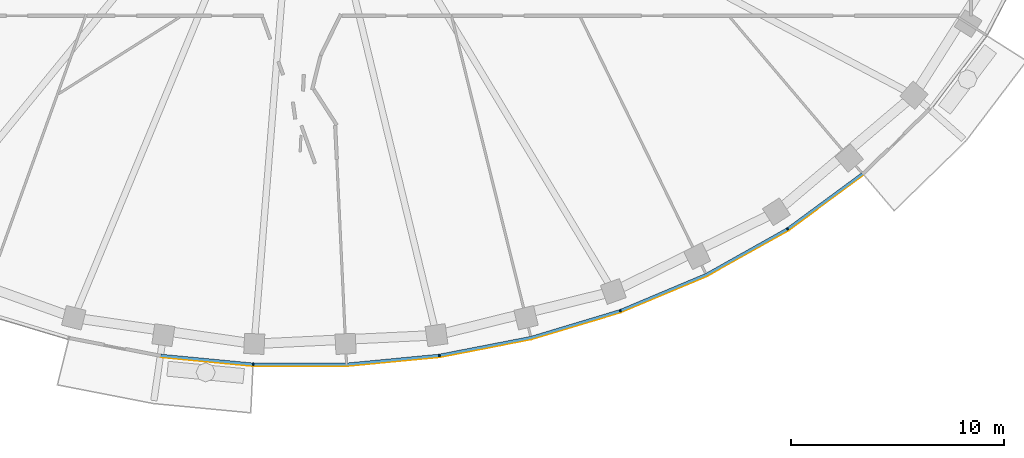
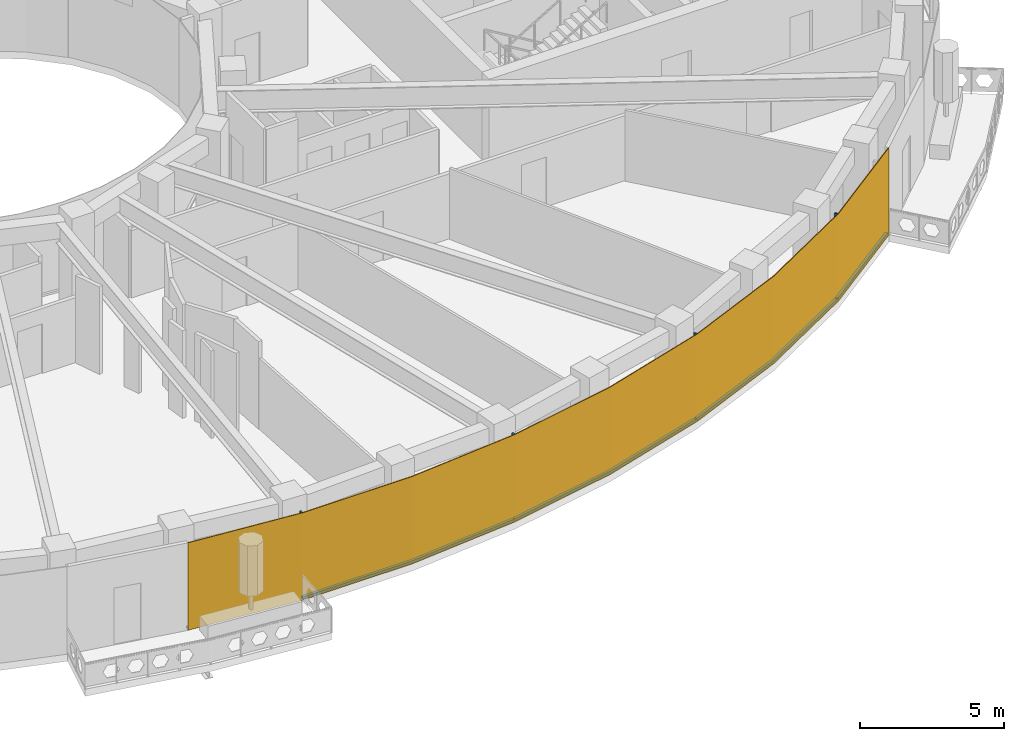
# One storey, part 9 of 16: 9 members, 1 curtain wall.
"""IFC4 building model written with IfcOpenShell, lengths in metres."""

from ifc_helpers import new_model, si_unit, direction, frame, origin, origin_2d, place, context, subcontext, project, spatial, polyline, rectangle, outline, extrude, material, layer, layer_set, material_profile, profile_set, type_object, element, aggregate, save


model = new_model("IFC4")

# Units and contexts
model_context = context("Model", 3, precision=1e-05, world=origin(), true_north=direction((0.0, 1.0)))
body_context = subcontext(model_context, "Body", "Model", "MODEL_VIEW")
ifc_project = project(units=[si_unit("LENGTHUNIT", "METRE"), si_unit("AREAUNIT", "SQUARE_METRE"), si_unit("VOLUMEUNIT", "CUBIC_METRE"), si_unit("PLANEANGLEUNIT", "RADIAN"), si_unit("MASSUNIT", "GRAM", prefix="KILO")], contexts=[model_context])

# Member
ifc_material_1 = material(Name="Aluminium 6063-T6 black anodised", Category="aluminium")
ifc_material_profile = material_profile(ifc_material_1, rectangle(XDim=0.1201171875, YDim=0.06005859375, at=origin_2d()), Name="120x60")
ifc_profile_set = profile_set([ifc_material_profile], Name="Aluminium 6063-T6 black anodised")
member_type_1 = type_object("IfcMemberType", Name="ENV-MULLION-A-120", PredefinedType="MULLION", material=ifc_profile_set)
site_placement = place(None, origin())
building_placement = place(site_placement, origin())
storey_placement = place(building_placement, frame((0.0, 0.0, 315.0)))
member_1_placement = place(storey_placement, frame((-2.188720703125, -27.856201171875, 0.0), z_axis=(0.0, 0.0, 1.0), x_axis=(0.047557873581, 0.998868484166, 0.0)))
member_1 = element("IfcMember", 1, at=member_1_placement, type_object=member_type_1, Name="Mullion A radial 35", PredefinedType="MULLION", context=body_context, shape_type="SweptSolid", body=[
    extrude(rectangle(XDim=0.1201171875, YDim=0.06005859375, at=origin_2d()), origin(), (0.0, 0.0, 1.0), 3.699951171875),
])

member_2_placement = place(storey_placement, frame((6.54638671875, -27.440185546875, 0.0), z_axis=(0.0, 0.0, 1.0), x_axis=(-0.143082012705, 0.989710835366, 0.0)))
member_2 = element("IfcMember", 2, at=member_2_placement, type_object=member_type_1, Name="Mullion A radial 37", PredefinedType="MULLION", context=body_context, shape_type="SweptSolid", body=[
    extrude(rectangle(XDim=0.1201171875, YDim=0.06005859375, at=origin_2d()), origin(), (0.0, 0.0, 1.0), 3.699951171875),
])

member_3_placement = place(storey_placement, frame((15.0341796875, -25.34375, 0.0), z_axis=(0.0, 0.0, 1.0), x_axis=(-0.338379256581, 0.941009818608, 0.0)))
member_3 = element("IfcMember", 3, at=member_3_placement, type_object=member_type_1, Name="Mullion A radial 39", PredefinedType="MULLION", context=body_context, shape_type="SweptSolid", body=[
    extrude(rectangle(XDim=0.1201171875, YDim=0.06005859375, at=origin_2d()), origin(), (0.0, 0.0, 1.0), 3.699951171875),
])

member_4_placement = place(storey_placement, frame((22.882568359375, -21.506591796875, 0.0), z_axis=(0.0, 0.0, 1.0), x_axis=(-0.542279153225, 0.840198381323, 0.0)))
member_4 = element("IfcMember", 4, at=member_4_placement, type_object=member_type_1, Name="Mullion A radial 41", PredefinedType="MULLION", context=body_context, shape_type="SweptSolid", body=[
    extrude(rectangle(XDim=0.1201171875, YDim=0.06005859375, at=origin_2d()), origin(), (0.0, 0.0, 1.0), 3.699951171875),
])

ifc_material_2 = material(Name="Aluminium 6063-T6 black anodised", Category="aluminium")
member_type_2 = type_object("IfcMemberType", Name="ENV-TRANSOM-A", PredefinedType="USERDEFINED", material=ifc_material_2)
member_5_placement = place(storey_placement, origin())
member_5 = element("IfcMember", 5, at=member_5_placement, type_object=member_type_2, Name="Transom A radial 34-35", ObjectType="TRANSOM", PredefinedType="USERDEFINED", context=body_context, shape_type="SweptSolid", body=[
    extrude(outline(polyline([(-6.53515625, -27.50146484375), (-2.219482421875, -27.913330078125), (-2.2138671875, -27.793212890625), (-6.51806640625, -27.382568359375), (-6.53515625, -27.50146484375)])), origin(), (0.0, 0.0, 1.0), 0.10009765625),
])

member_6_placement = place(storey_placement, origin())
member_6 = element("IfcMember", 6, at=member_6_placement, type_object=member_type_2, Name="Transom A radial 35-37", ObjectType="TRANSOM", PredefinedType="USERDEFINED", context=body_context, shape_type="SweptSolid", body=[
    extrude(outline(polyline([(-2.163818359375, -27.916015625), (2.191650390625, -27.916015625), (6.527099609375, -27.502197265625), (6.510009765625, -27.38330078125), (2.185791015625, -27.7958984375), (-2.157958984375, -27.7958984375), (-2.163818359375, -27.916015625)])), origin(), (0.0, 0.0, 1.0), 0.10009765625),
])

member_7_placement = place(storey_placement, origin())
member_7 = element("IfcMember", 7, at=member_7_placement, type_object=member_type_2, Name="Transom A radial 37-39", ObjectType="TRANSOM", PredefinedType="USERDEFINED", context=body_context, shape_type="SweptSolid", body=[
    extrude(outline(polyline([(6.58251953125, -27.494140625), (10.857666015625, -26.6630859375), (15.027587890625, -25.408203125), (14.987060546875, -25.295166015625), (10.828857421875, -26.54638671875), (6.5654296875, -27.375244140625), (6.58251953125, -27.494140625)])), origin(), (0.0, 0.0, 1.0), 0.10009765625),
])

member_8_placement = place(storey_placement, origin())
member_8 = element("IfcMember", 8, at=member_8_placement, type_object=member_type_2, Name="Transom A radial 39-41", ObjectType="TRANSOM", PredefinedType="USERDEFINED", context=body_context, shape_type="SweptSolid", body=[
    extrude(outline(polyline([(15.080322265625, -25.389404296875), (19.093994140625, -23.701416015625), (22.890625, -21.570556640625), (22.825439453125, -21.469482421875), (19.041259765625, -23.593505859375), (15.03955078125, -25.276123046875), (15.080322265625, -25.389404296875)])), origin(), (0.0, 0.0, 1.0), 0.10009765625),
])

member_9_placement = place(storey_placement, origin())
member_9 = element("IfcMember", 9, at=member_9_placement, type_object=member_type_2, Name="Transom A radial 41-42", ObjectType="TRANSOM", PredefinedType="USERDEFINED", context=body_context, shape_type="SweptSolid", body=[
    extrude(outline(polyline([(22.937744140625, -21.540283203125), (26.42626953125, -18.970703125), (26.348388671875, -18.87890625), (22.87255859375, -21.439208984375), (22.937744140625, -21.540283203125)])), origin(), (0.0, 0.0, 1.0), 0.10009765625),
])

# Site, building, storey
site = spatial("IfcSite", under=ifc_project, at=site_placement, CompositionType="ELEMENT")
building = spatial("IfcBuilding", under=site, at=building_placement, Name="Noorbagh Ring Tower", CompositionType="ELEMENT")
storey = spatial("IfcBuildingStorey", under=building, at=storey_placement, Name="L68", CompositionType="ELEMENT", Elevation=315.0)

# Curtain wall
ifc_material_3 = material(Name="Glass dark tinted laminated", Category="glass")
ifc_layer = layer(ifc_material_3, 0.031982421875)
ifc_layer_set = layer_set([ifc_layer], Name="Glass dark tinted laminated")
curtain_wall_type = type_object("IfcCurtainWallType", Name="ENV-CW-A", PredefinedType="NOTDEFINED", material=ifc_layer_set)
curtain_wall_placement = place(storey_placement, origin())
curtain_wall = element("IfcCurtainWall", 10, at=curtain_wall_placement, inside=storey, type_object=curtain_wall_type, Name="Curtain wall A R34", PredefinedType="NOTDEFINED", context=body_context, shape_type="SweptSolid", body=[
    extrude(outline(polyline([(-6.539794921875, -27.533203125), (-2.193115234375, -27.947998046875), (2.193115234375, -27.947998046875), (6.559814453125, -27.53125), (10.865234375, -26.6943359375), (15.065185546875, -25.430419921875), (19.108154296875, -23.730224609375), (22.9326171875, -21.583740234375), (26.447021484375, -18.9951171875), (26.42626953125, -18.970703125), (22.9150390625, -21.556884765625), (19.093994140625, -23.701416015625), (15.054443359375, -25.400146484375), (10.857666015625, -26.6630859375), (6.55517578125, -27.49951171875), (2.191650390625, -27.916015625), (-2.191650390625, -27.916015625), (-6.53515625, -27.50146484375), (-6.539794921875, -27.533203125)])), origin(), (0.0, 0.0, 1.0), 3.699951171875),
])

aggregate(curtain_wall, [member_1, member_2, member_3, member_4, member_5, member_6, member_7, member_8, member_9])

save(model, "model.ifc")
